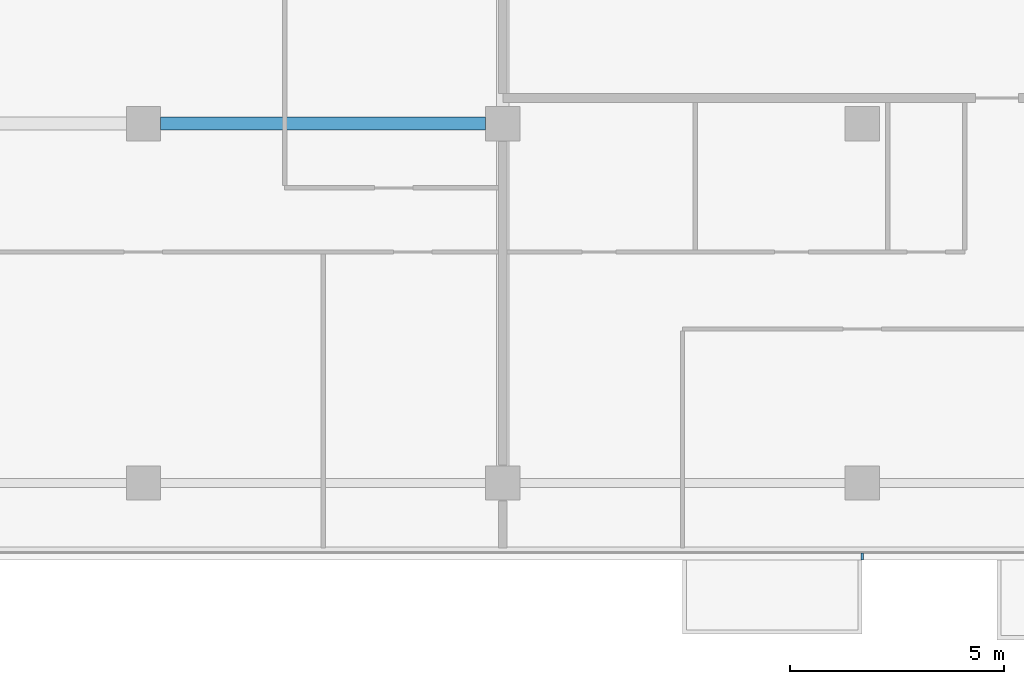
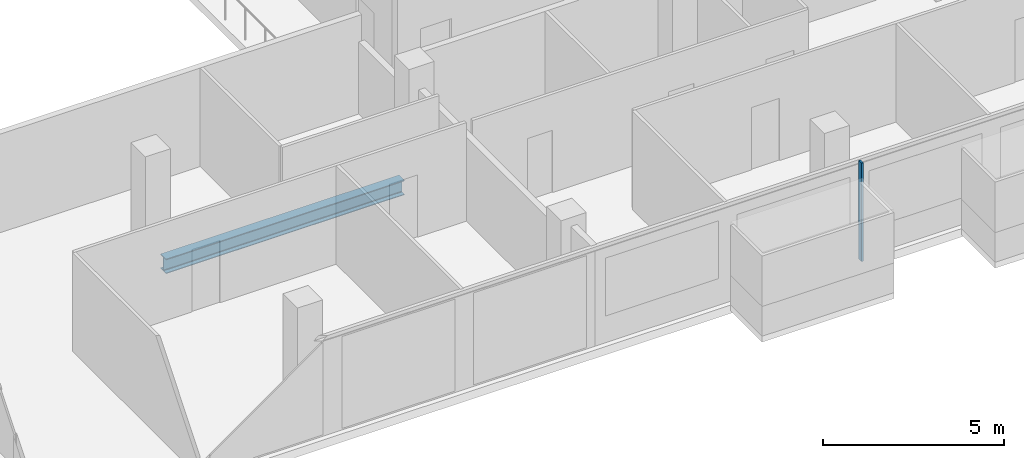
# One storey, part 6 of 27: 1 beam, 1 member, 1 element without a shape of its own.
"""IFC4 building model written with IfcOpenShell, lengths in metres."""

from ifc_helpers import new_model, si_unit, direction, frame, origin, origin_2d, place, context, subcontext, project, spatial, rectangle, i_section, extrude, material, material_profile, profile_set, type_object, element, aggregate, save


model = new_model("IFC4")

# Units and contexts
model_context = context("Model", 3, precision=1e-05, world=origin(), true_north=direction((0.0, 1.0)))
body_context = subcontext(model_context, "Body", "Model", "MODEL_VIEW")
ifc_project = project(units=[si_unit("LENGTHUNIT", "METRE"), si_unit("AREAUNIT", "SQUARE_METRE"), si_unit("VOLUMEUNIT", "CUBIC_METRE"), si_unit("PLANEANGLEUNIT", "RADIAN"), si_unit("MASSUNIT", "GRAM", prefix="KILO")], contexts=[model_context])

# Site, building, storey
site_placement = place(None, origin())
site = spatial("IfcSite", under=ifc_project, at=site_placement, CompositionType="ELEMENT")
building_placement = place(site_placement, origin())
building = spatial("IfcBuilding", under=site, at=building_placement, Name="Saffron Gate Tower", CompositionType="ELEMENT")
storey_placement = place(building_placement, frame((0.0, 0.0, 109.64990234375)))
storey = spatial("IfcBuildingStorey", under=building, at=storey_placement, Name="L25", CompositionType="ELEMENT", Elevation=109.64990234375)

# Beam
ifc_material_1 = material(Name="Structural steel S355", Category="steel")
ifc_material_profile_1 = material_profile(ifc_material_1, i_section(OverallWidth=0.300048828125, OverallDepth=0.489990234375, WebThickness=0.011962890625, FlangeThickness=0.02294921875, FilletRadius=0.027099609375, at=origin_2d()))
ifc_profile_set_1 = profile_set([ifc_material_profile_1], Name="Structural steel S355")
beam_type = type_object("IfcBeamType", Name="B8 HEA 500", PredefinedType="BEAM", material=ifc_profile_set_1)
beam_placement = place(storey_placement, frame((92.199951171875, 40.199951171875, -0.52490234375), z_axis=(1.0, 0.0, 0.0), x_axis=(0.0, 1.0, 0.0)))
element("IfcBeam", 1, at=beam_placement, inside=storey, type_object=beam_type, Name="B8 FLOOR GIRDER", PredefinedType="BEAM", context=body_context, shape_type="SweptSolid", body=[
    extrude(i_section(OverallWidth=0.300048828125, OverallDepth=0.489990234375, WebThickness=0.011962890625, FlangeThickness=0.02294921875, FilletRadius=0.027099609375, at=origin_2d()), origin(), (0.0, 0.0, 1.0), 7.60009765625),
])

# Curtain wall, member
ifc_material_2 = material(Name="Aluminium, bronze anodised", Category="aluminium")
curtain_wall_type = type_object("IfcCurtainWallType", Name="CWS1 curtain wall front facade", PredefinedType="NOTDEFINED", material=ifc_material_2)
curtain_wall_placement = place(storey_placement, origin())
curtain_wall = element("IfcCurtainWall", 2, at=curtain_wall_placement, inside=storey, type_object=curtain_wall_type, Name="CWS1 run 1", PredefinedType="NOTDEFINED")
ifc_material_profile_2 = material_profile(ifc_material_2, rectangle(XDim=0.159912109375, YDim=0.06005859375, at=origin_2d()))
ifc_profile_set_2 = profile_set([ifc_material_profile_2], Name="Aluminium, bronze anodised")
member_type = type_object("IfcMemberType", Name="CWS1 mullion 60x160", PredefinedType="MULLION", material=ifc_profile_set_2)
member_placement = place(storey_placement, frame((108.60009765625, 30.080078125, 0.0), z_axis=(0.0, 0.0, 1.0), x_axis=(0.0, 1.0, 0.0)))
member = element("IfcMember", 3, at=member_placement, type_object=member_type, Name="CWS1 mullion 8", PredefinedType="MULLION", context=body_context, shape_type="SweptSolid", body=[
    extrude(rectangle(XDim=0.159912109375, YDim=0.06005859375, at=origin_2d()), origin(), (0.0, 0.0, 1.0), 3.320068359375),
])
aggregate(curtain_wall, [member])

save(model, "model.ifc")
